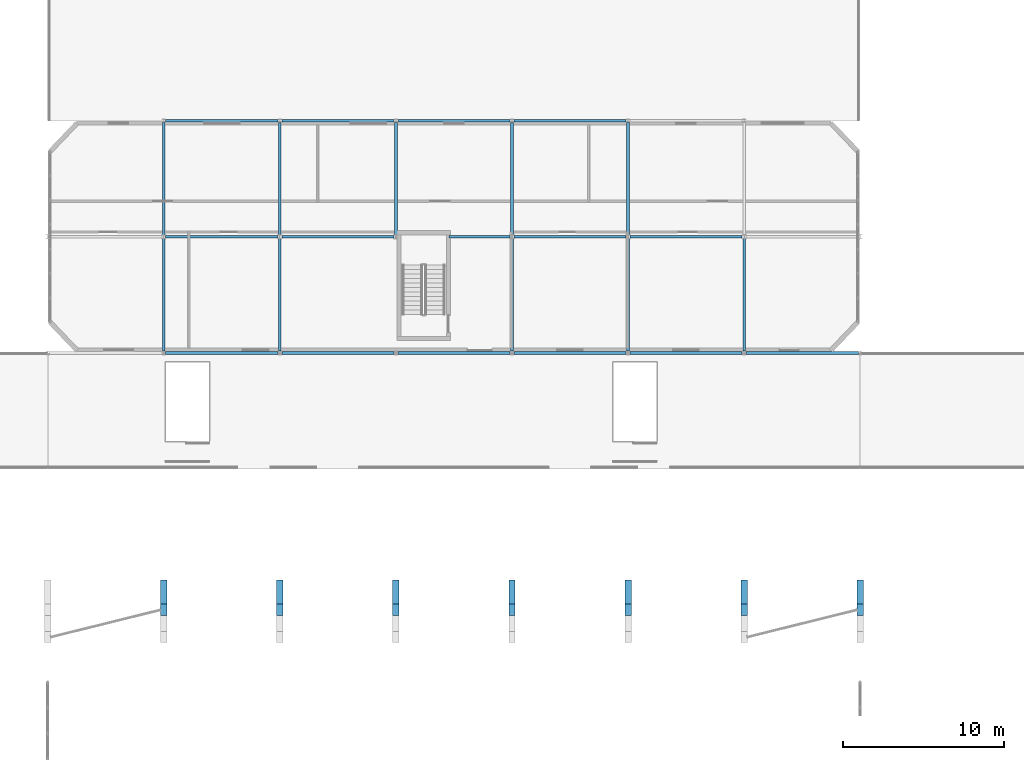
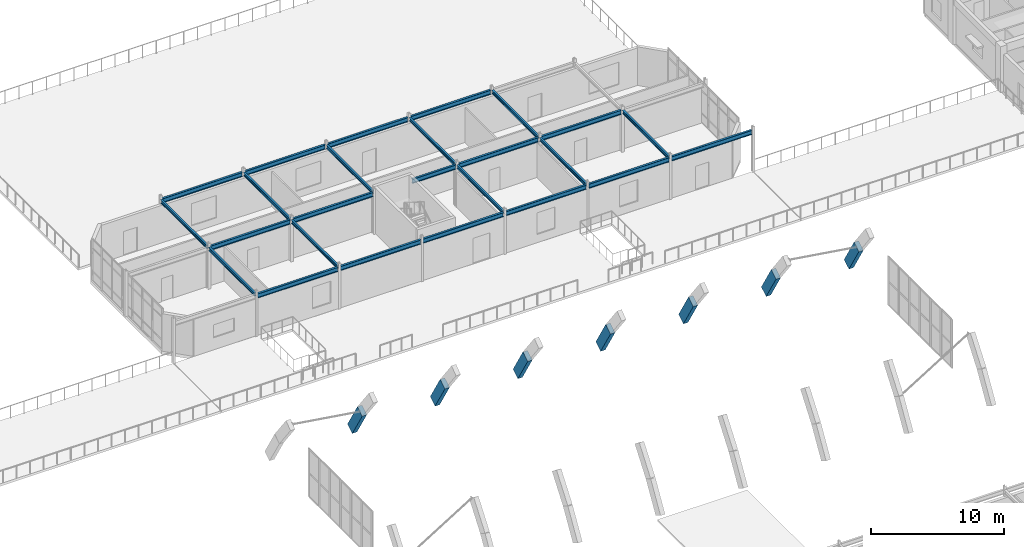
# One storey, part 29 of 85: 32 beams.
"""IFC4 building model written with IfcOpenShell, lengths in metres."""

from ifc_helpers import new_model, si_unit, direction, frame, origin, origin_2d, place, context, subcontext, project, spatial, rectangle, i_section, extrude, material, material_profile, profile_set, type_object, element, save


model = new_model("IFC4")

# Units and contexts
model_context = context("Model", 3, precision=1e-05, world=origin(), true_north=direction((0.0, 1.0)))
body_context = subcontext(model_context, "Body", "Model", "MODEL_VIEW")
ifc_project = project(units=[si_unit("LENGTHUNIT", "METRE"), si_unit("AREAUNIT", "SQUARE_METRE"), si_unit("VOLUMEUNIT", "CUBIC_METRE"), si_unit("PLANEANGLEUNIT", "RADIAN"), si_unit("MASSUNIT", "GRAM", prefix="KILO")], contexts=[model_context])

# Site, building, storey
site_placement = place(None, origin())
site = spatial("IfcSite", under=ifc_project, at=site_placement, CompositionType="ELEMENT")
building_placement = place(site_placement, origin())
building = spatial("IfcBuilding", under=site, at=building_placement, Name="Ochrevale Crest", CompositionType="ELEMENT")
storey_placement = place(building_placement, frame((0.0, 0.0, 4.5)))
storey = spatial("IfcBuildingStorey", under=building, at=storey_placement, Name="L01", CompositionType="ELEMENT", Elevation=4.5)

# Beams
ifc_material_1 = material(Name="Precast concrete C50/60", Category="concrete")
ifc_material_profile_1 = material_profile(ifc_material_1, rectangle(XDim=0.39990234375, YDim=0.85009765625, at=origin_2d()), Name="PC 400x850")
ifc_profile_set_1 = profile_set([ifc_material_profile_1], Name="Precast concrete C50/60")
beam_type_1 = type_object("IfcBeamType", Name="BM-AR400x850", PredefinedType="BEAM", material=ifc_profile_set_1)
for number, where, z_axis, x_axis, name in (
    (1, (64.800048828125, 63.259033203125, 2.7744140625), (0.0, 0.513061889278, -0.858351616629), (-1.0, 0.0, 0.0), "Precast vault arch rib AR-02 chord 10"),
    (2, (72.0, 63.259033203125, 2.7744140625), (0.0, 0.513061889278, -0.858351616629), (-1.0, 0.0, 0.0), "Precast vault arch rib AR-03 chord 10"),
    (3, (79.199951171875, 63.259033203125, 2.7744140625), (0.0, 0.513061889278, -0.858351616629), (-1.0, 0.0, 0.0), "Precast vault arch rib AR-04 chord 10"),
    (4, (86.39990234375, 63.259033203125, 2.7744140625), (0.0, 0.513061889278, -0.858351616629), (-1.0, 0.0, 0.0), "Precast vault arch rib AR-05 chord 10"),
    (5, (93.60009765625, 63.259033203125, 2.7744140625), (0.0, 0.513061889278, -0.858351616629), (-1.0, 0.0, 0.0), "Precast vault arch rib AR-06 chord 10"),
    (6, (100.800048828125, 63.259033203125, 2.7744140625), (0.0, 0.513061889278, -0.858351616629), (-1.0, 0.0, 0.0), "Precast vault arch rib AR-07 chord 10"),
    (7, (108.0, 63.259033203125, 2.7744140625), (0.0, 0.513061889278, -0.858351616629), (-1.0, 0.0, 0.0), "Precast vault arch rib AR-08 chord 10"),
):
    element("IfcBeam", number, at=place(storey_placement, frame(where, z_axis=z_axis, x_axis=x_axis)), inside=storey, type_object=beam_type_1, Name=name, PredefinedType="BEAM", context=body_context, shape_type="SweptSolid", body=[
        extrude(rectangle(XDim=0.39990234375, YDim=0.85009765625, at=origin_2d()), origin(), (0.0, 0.0, 1.0), 2.906005859375),
    ])
ifc_material_2 = material(Name="Steel S355", Category="steel")
ifc_material_profile_2 = material_profile(ifc_material_2, i_section(OverallWidth=0.1650390625, OverallDepth=0.3037109375, WebThickness=0.006103515625, FlangeThickness=0.01025390625, FilletRadius=0.011474609375, at=origin_2d()), Name="310UB40.4")
ifc_profile_set_2 = profile_set([ifc_material_profile_2], Name="Steel S355")
beam_type_2 = type_object("IfcBeamType", Name="BM-UB310A", PredefinedType="BEAM", material=ifc_profile_set_2)
for number, where, z_axis, x_axis, name in (
    (8, (64.800048828125, 79.320068359375, 3.72314453125), (0.0, 1.0, 0.0), (-1.0, 0.0, 0.0), "Nursery L01 transverse steel beam X=64.8"),
    (9, (64.800048828125, 86.52001953125, 3.72314453125), (0.0, 1.0, 0.0), (-1.0, 0.0, 0.0), "Nursery L01 transverse steel beam X=64.8"),
    (10, (72.0, 79.320068359375, 3.72314453125), (0.0, 1.0, 0.0), (-1.0, 0.0, 0.0), "Nursery L01 transverse steel beam X=72.0"),
    (11, (72.0, 86.52001953125, 3.72314453125), (0.0, 1.0, 0.0), (-1.0, 0.0, 0.0), "Nursery L01 transverse steel beam X=72.0"),
    (12, (79.199951171875, 86.52001953125, 3.72314453125), (0.0, 1.0, 0.0), (-1.0, 0.0, 0.0), "Nursery L01 transverse steel beam X=79.2"),
    (13, (86.39990234375, 79.320068359375, 3.72314453125), (0.0, 1.0, 0.0), (-1.0, 0.0, 0.0), "Nursery L01 transverse steel beam X=86.4"),
    (14, (86.39990234375, 86.52001953125, 3.72314453125), (0.0, 1.0, 0.0), (-1.0, 0.0, 0.0), "Nursery L01 transverse steel beam X=86.4"),
    (15, (93.60009765625, 79.320068359375, 3.72314453125), (0.0, 1.0, 0.0), (-1.0, 0.0, 0.0), "Nursery L01 transverse steel beam X=93.6"),
    (16, (93.60009765625, 86.52001953125, 3.72314453125), (0.0, 1.0, 0.0), (-1.0, 0.0, 0.0), "Nursery L01 transverse steel beam X=93.6"),
    (17, (100.800048828125, 79.320068359375, 3.72314453125), (0.0, 1.0, 0.0), (-1.0, 0.0, 0.0), "Nursery L01 transverse steel beam X=100.8"),
):
    element("IfcBeam", number, at=place(storey_placement, frame(where, z_axis=z_axis, x_axis=x_axis)), inside=storey, type_object=beam_type_2, Name=name, PredefinedType="BEAM", context=body_context, shape_type="SweptSolid", body=[
        extrude(i_section(OverallWidth=0.1650390625, OverallDepth=0.3037109375, WebThickness=0.006103515625, FlangeThickness=0.01025390625, FilletRadius=0.011474609375, at=origin_2d()), origin(), (0.0, 0.0, 1.0), 6.9599609375),
    ])
ifc_material_profile_3 = material_profile(ifc_material_2, i_section(OverallWidth=0.177734375, OverallDepth=0.406494140625, WebThickness=0.0078125, FlangeThickness=0.0126953125, FilletRadius=0.011474609375, at=origin_2d()), Name="410UB59.7")
ifc_profile_set_3 = profile_set([ifc_material_profile_3], Name="Steel S355")
beam_type_3 = type_object("IfcBeamType", Name="BM-UB410B", PredefinedType="BEAM", material=ifc_profile_set_3)
for number, where, z_axis, x_axis, name in (
    (18, (64.919921875, 79.199951171875, 3.671875), (1.0, 0.0, 0.0), (0.0, 1.0, 0.0), "Nursery L01 steel girder Y=79.2"),
    (19, (72.1201171875, 79.199951171875, 3.671875), (1.0, 0.0, 0.0), (0.0, 1.0, 0.0), "Nursery L01 steel girder Y=79.2"),
    (20, (79.320068359375, 79.199951171875, 3.671875), (1.0, 0.0, 0.0), (0.0, 1.0, 0.0), "Nursery L01 steel girder Y=79.2"),
    (21, (86.52001953125, 79.199951171875, 3.671875), (1.0, 0.0, 0.0), (0.0, 1.0, 0.0), "Nursery L01 steel girder Y=79.2"),
    (22, (93.719970703125, 79.199951171875, 3.671875), (1.0, 0.0, 0.0), (0.0, 1.0, 0.0), "Nursery L01 steel girder Y=79.2"),
    (23, (100.919921875, 79.199951171875, 3.671875), (1.0, 0.0, 0.0), (0.0, 1.0, 0.0), "Nursery L01 steel girder Y=79.2"),
    (24, (64.919921875, 86.39990234375, 3.671875), (1.0, 0.0, 0.0), (0.0, 1.0, 0.0), "Nursery L01 steel girder Y=86.4"),
    (25, (72.1201171875, 86.39990234375, 3.671875), (1.0, 0.0, 0.0), (0.0, 1.0, 0.0), "Nursery L01 steel girder Y=86.4"),
):
    element("IfcBeam", number, at=place(storey_placement, frame(where, z_axis=z_axis, x_axis=x_axis)), inside=storey, type_object=beam_type_3, Name=name, PredefinedType="BEAM", context=body_context, shape_type="SweptSolid", body=[
        extrude(i_section(OverallWidth=0.177734375, OverallDepth=0.406494140625, WebThickness=0.0078125, FlangeThickness=0.0126953125, FilletRadius=0.011474609375, at=origin_2d()), origin(), (0.0, 0.0, 1.0), 6.9599609375),
    ])
beam_placement = place(storey_placement, frame((82.489990234375, 86.39990234375, 3.671875), z_axis=(1.0, 0.0, 0.0), x_axis=(0.0, 1.0, 0.0)))
element("IfcBeam", 26, at=beam_placement, inside=storey, type_object=beam_type_3, Name="Nursery L01 steel girder Y=86.4", PredefinedType="BEAM", context=body_context, shape_type="SweptSolid", body=[
    extrude(i_section(OverallWidth=0.177734375, OverallDepth=0.406494140625, WebThickness=0.0078125, FlangeThickness=0.0126953125, FilletRadius=0.011474609375, at=origin_2d()), origin(), (0.0, 0.0, 1.0), 3.7900390625),
])
for number, where, z_axis, x_axis, name in (
    (27, (86.52001953125, 86.39990234375, 3.671875), (1.0, 0.0, 0.0), (0.0, 1.0, 0.0), "Nursery L01 steel girder Y=86.4"),
    (28, (93.719970703125, 86.39990234375, 3.671875), (1.0, 0.0, 0.0), (0.0, 1.0, 0.0), "Nursery L01 steel girder Y=86.4"),
    (29, (64.919921875, 93.60009765625, 3.671875), (1.0, 0.0, 0.0), (0.0, 1.0, 0.0), "Nursery L01 steel girder Y=93.6"),
    (30, (72.1201171875, 93.60009765625, 3.671875), (1.0, 0.0, 0.0), (0.0, 1.0, 0.0), "Nursery L01 steel girder Y=93.6"),
    (31, (79.320068359375, 93.60009765625, 3.671875), (1.0, 0.0, 0.0), (0.0, 1.0, 0.0), "Nursery L01 steel girder Y=93.6"),
    (32, (86.52001953125, 93.60009765625, 3.671875), (1.0, 0.0, 0.0), (0.0, 1.0, 0.0), "Nursery L01 steel girder Y=93.6"),
):
    element("IfcBeam", number, at=place(storey_placement, frame(where, z_axis=z_axis, x_axis=x_axis)), inside=storey, type_object=beam_type_3, Name=name, PredefinedType="BEAM", context=body_context, shape_type="SweptSolid", body=[
        extrude(i_section(OverallWidth=0.177734375, OverallDepth=0.406494140625, WebThickness=0.0078125, FlangeThickness=0.0126953125, FilletRadius=0.011474609375, at=origin_2d()), origin(), (0.0, 0.0, 1.0), 6.9599609375),
    ])

save(model, "model.ifc")
